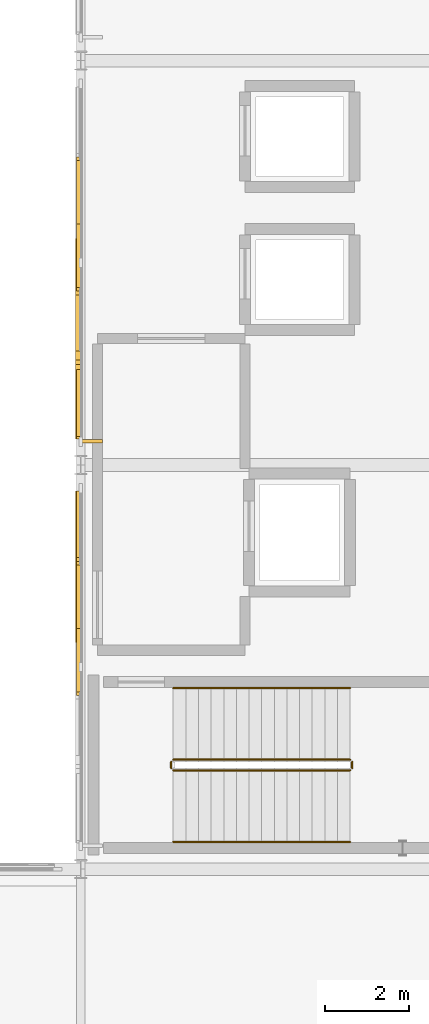
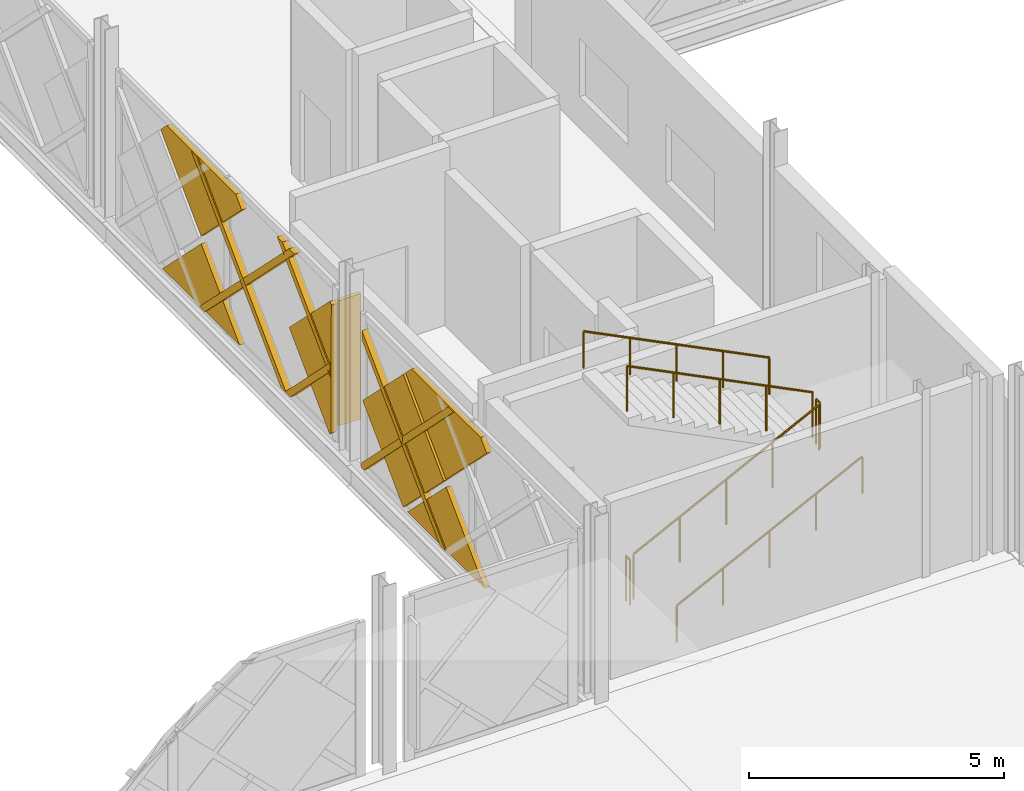
# One storey, part 85 of 101: 12 coverings, 6 railings, 1 shading device.
"""IFC4 building model written with IfcOpenShell, lengths in metres."""

from ifc_helpers import new_model, si_unit, direction, frame, origin, origin_2d, place, context, subcontext, project, spatial, polyline, rectangle, circle, outline, extrude, material, layer, layer_set, type_object, element, save


model = new_model("IFC4")

# Units and contexts
model_context = context("Model", 3, precision=1e-05, world=origin(), true_north=direction((0.0, 1.0)))
body_context = subcontext(model_context, "Body", "Model", "MODEL_VIEW")
ifc_project = project(units=[si_unit("LENGTHUNIT", "METRE"), si_unit("AREAUNIT", "SQUARE_METRE"), si_unit("VOLUMEUNIT", "CUBIC_METRE"), si_unit("PLANEANGLEUNIT", "RADIAN"), si_unit("MASSUNIT", "GRAM", prefix="KILO")], contexts=[model_context])

# Site, building, storey
site_placement = place(None, origin())
site = spatial("IfcSite", under=ifc_project, at=site_placement, CompositionType="ELEMENT")
building_placement = place(site_placement, origin())
building = spatial("IfcBuilding", under=site, at=building_placement, Name="Zevrakil Square Congress Hotel", CompositionType="ELEMENT")
storey_placement = place(building_placement, frame((0.0, 0.0, 5.39990234375)))
storey = spatial("IfcBuildingStorey", under=building, at=storey_placement, Name="L02", CompositionType="ELEMENT", Elevation=5.39990234375)

# Coverings
ifc_material_1 = material(Name="Architectural White Fibre-C GRC", Category="concrete")
ifc_layer_1 = layer(ifc_material_1, 0.06494140625)
ifc_layer_set_1 = layer_set([ifc_layer_1], Name="Architectural White Fibre-C GRC")
covering_type_1 = type_object("IfcCoveringType", Name="COV-DIA-WHITE", PredefinedType="CLADDING", material=ifc_layer_set_1)
covering_1_placement = place(storey_placement, frame((107.906005859375, 51.320068359375, 1.590087890625), z_axis=(-0.999999790873, 0.0, 0.000646725815), x_axis=(-0.000457304257, -0.707106707249, -0.707106707249)))
element("IfcCovering", 1, at=covering_1_placement, inside=storey, type_object=covering_type_1, Name="L02 45-degree white GRC diamond facade cassette 1748", PredefinedType="CLADDING", context=body_context, shape_type="SweptSolid", body=[
    extrude(outline(polyline([(0.0, 0.0), (2.1354765131557993, 0.0), (4.465861884739297e-07, -2.1354765131557527), (0.0, 0.0)])), origin(), (0.0, 0.0, -1.0), 0.1201171875),
])
covering_2_placement = place(storey_placement, frame((107.906982421875, 53.0, 3.27001953125), z_axis=(-0.999999812555, 0.0, 0.000612282088), x_axis=(-0.000432915616, -0.707161000838, -0.707052424844)))
element("IfcCovering", 2, at=covering_2_placement, inside=storey, type_object=covering_type_1, Name="L02 45-degree white GRC diamond facade cassette 1749", PredefinedType="CLADDING", context=body_context, shape_type="SweptSolid", body=[
    extrude(outline(polyline([(0.0, 0.0), (2.248551445484592, 0.0), (2.2483792228800303, -2.2487240657380205), (0.013811102109335449, -2.2485525032084603), (-0.000343756005215079, -2.2343954741070595), (0.0, 0.0)])), origin(), (0.0, 0.0, -1.0), 0.1201171875),
])
covering_3_placement = place(storey_placement, frame((107.906982421875, 49.72998046875, 3.360107421875), z_axis=(-0.999999751228, 0.0, 0.00070536756), x_axis=(-0.000498770231, 0.707106715979, -0.707106670486)))
element("IfcCovering", 3, at=covering_3_placement, inside=storey, type_object=covering_type_1, Name="L02 45-degree white GRC diamond facade cassette 1751", PredefinedType="CLADDING", context=body_context, shape_type="SweptSolid", body=[
    extrude(outline(polyline([(0.0, 0.0), (2.2487240676579097, 2.220446049250313e-16), (2.2485510194407325, -2.2485514341504507), (1.9162314678733625, -2.2487241174091555), (-1.1107420985756455e-07, -0.332492185042936), (0.0, 0.0)])), origin(), (0.0, 0.0, -1.0), 0.1201171875),
])
covering_4_placement = place(storey_placement, frame((107.906005859375, 60.919921875, 1.590087890625), z_axis=(-0.999999790873, 0.0, 0.000646725815), x_axis=(-0.000457304257, -0.707106707249, -0.707106707249)))
element("IfcCovering", 4, at=covering_4_placement, inside=storey, type_object=covering_type_1, Name="L02 45-degree white GRC diamond facade cassette 1816", PredefinedType="CLADDING", context=body_context, shape_type="SweptSolid", body=[
    extrude(outline(polyline([(0.0, 0.0), (2.1354765131557993, 0.0), (4.465861884739297e-07, -2.1354765131557527), (0.0, 0.0)])), origin(), (0.0, 0.0, -1.0), 0.1201171875),
])
covering_5_placement = place(storey_placement, frame((107.905029296875, 55.8798828125, 0.090087890625), z_axis=(-0.999999810879, 4.3911e-08, 0.000615014432), x_axis=(0.000434911966, 0.707106714509, 0.707106714116)))
element("IfcCovering", 5, at=covering_5_placement, inside=storey, type_object=covering_type_1, Name="L02 45-degree white GRC diamond facade cassette 1818", PredefinedType="CLADDING", context=body_context, shape_type="SweptSolid", body=[
    extrude(outline(polyline([(0.0, 0.0), (2.2487240723345274, -2.220446049250313e-16), (2.248551862954323, -2.2485514388919943), (2.1639614601190895, -2.2485514548663854), (0.00017263345166069338, -0.0847630362800969), (0.0, 0.0)])), origin(), (0.0, 0.0, -1.0), 0.1201171875),
])
covering_6_placement = place(storey_placement, frame((107.906982421875, 59.330078125, 3.360107421875), z_axis=(-0.999999751228, 0.0, 0.00070536756), x_axis=(-0.000498808522, 0.707052425462, -0.707160956812)))
element("IfcCovering", 6, at=covering_6_placement, inside=storey, type_object=covering_type_1, Name="L02 45-degree white GRC diamond facade cassette 1819", PredefinedType="CLADDING", context=body_context, shape_type="SweptSolid", body=[
    extrude(outline(polyline([(0.0, 0.0), (2.248551440809335, 2.220446049250313e-16), (2.248378379306818, -2.2487240609985144), (1.9158861952399802, -2.2486985835187765), (-0.0001982585262913228, -0.3323195372935549), (0.0, 0.0)])), origin(), (0.0, 0.0, -1.0), 0.1201171875),
])
ifc_material_2 = material(Name="Anodised Champagne Aluminium", Category="aluminium")
ifc_layer_2 = layer(ifc_material_2, 0.0849609375)
ifc_layer_set_2 = layer_set([ifc_layer_2], Name="Anodised Champagne Aluminium")
covering_type_2 = type_object("IfcCoveringType", Name="COV-DIAGRID-45", PredefinedType="MOLDING", material=ifc_layer_set_2)
covering_7_placement = place(storey_placement, frame((107.8798828125, 54.493896484375, 0.080078125), z_axis=(-0.99999941824, 0.000393406, 0.001004366124), x_axis=(0.000393405802, 0.999999922616, -3.95124e-07)))
element("IfcCovering", 7, at=covering_7_placement, inside=storey, type_object=covering_type_2, Name="L02 45-degree aluminium diagrid rib 1752", PredefinedType="MOLDING", context=body_context, shape_type="SweptSolid", body=[
    extrude(outline(polyline([(0.0, 0.0), (0.08618163395590756, -4.562418066112793e-24), (0.08618168012945589, -0.1262208846689164), (-3.302734643917476, -3.5151371526592214), (-3.5148928306247953, -3.5151371526592214), (0.0, 0.0)])), origin(), (0.0, 0.0, -1.0), 0.14501953125),
])
covering_8_placement = place(storey_placement, frame((107.8818359375, 54.580078125, 3.154052734375), z_axis=(-0.999999562484, -0.000249090824, 0.000901656659), x_axis=(0.000901656702, -6.2046e-08, 0.999999593508)))
element("IfcCovering", 8, at=covering_8_placement, inside=storey, type_object=covering_type_2, Name="L02 45-degree aluminium diagrid rib 1755", PredefinedType="MOLDING", context=body_context, shape_type="SweptSolid", body=[
    extrude(outline(polyline([(0.0, 0.0), (0.21215833701531478, 1.3234889800848443e-23), (-3.073974916983605, -3.2861331051745672), (-3.073974930147215, -3.073974908631377), (0.0, 0.0)])), origin(), (0.0, 0.0, -1.0), 0.14501953125),
])
covering_9_placement = place(storey_placement, frame((107.8798828125, 60.73388671875, 0.080078125), z_axis=(-0.999999804633, 0.0, 0.000625086695), x_axis=(0.0, 1.0, 0.0)))
element("IfcCovering", 9, at=covering_9_placement, inside=storey, type_object=covering_type_2, Name="L02 45-degree aluminium diagrid rib 1821", PredefinedType="MOLDING", context=body_context, shape_type="SweptSolid", body=[
    extrude(outline(polyline([(0.0, 0.0), (0.212158203125, 0.0), (-3.302734375, -3.5151374054908215), (-3.514892578125, -3.5151374054908215), (0.0, 0.0)])), origin(), (0.0, 0.0, -1.0), 0.14501953125),
])
covering_10_placement = place(storey_placement, frame((107.8798828125, 57.373779296875, 0.080078125), z_axis=(-0.999999864806, -0.000367476119, 0.000367898991), x_axis=(-0.000367476094, 0.999999932481, 1.35194e-07)))
element("IfcCovering", 10, at=covering_10_placement, inside=storey, type_object=covering_type_2, Name="L02 45-degree aluminium diagrid rib 1822", PredefinedType="MOLDING", context=body_context, shape_type="SweptSolid", body=[
    extrude(outline(polyline([(0.0, 0.0), (0.21240232940873155, 0.0), (-1.5537110424055618, -1.7661136108240356), (-1.5537110710880997, -1.553955422056809), (0.0, 0.0)])), origin(), (0.0, 0.0, -1.0), 0.14501953125),
])
covering_11_placement = place(storey_placement, frame((107.882080078125, 61.260986328125, 3.59521484375), z_axis=(-0.999999804633, 0.0, 0.000625086695), x_axis=(0.0, -1.0, 0.0)))
element("IfcCovering", 11, at=covering_11_placement, inside=storey, type_object=covering_type_2, Name="L02 45-degree aluminium diagrid rib 1824", PredefinedType="MOLDING", context=body_context, shape_type="SweptSolid", body=[
    extrude(outline(polyline([(0.0, 0.0), (0.212158203125, 0.0), (3.72705078125, -3.5151374054908215), (3.514892578125, -3.5151374054908215), (0.0, 0.0)])), origin(), (0.0, 0.0, -1.0), 0.14501953125),
])
covering_12_placement = place(storey_placement, frame((107.882080078125, 57.901123046875, 3.59521484375), z_axis=(-0.999999592163, -0.000296771115, 0.00085299482), x_axis=(0.000296771007, -0.999999955963, -2.53144e-07)))
element("IfcCovering", 12, at=covering_12_placement, inside=storey, type_object=covering_type_2, Name="L02 45-degree aluminium diagrid rib 1825", PredefinedType="MOLDING", context=body_context, shape_type="SweptSolid", body=[
    extrude(outline(polyline([(0.0, 0.0), (0.2121581937822851, 0.0), (2.081054779142469, -1.8688966374729137), (2.081054760457039, -2.081299112201601), (0.0, 0.0)])), origin(), (0.0, 0.0, -1.0), 0.14501953125),
])

# Railings
ifc_material_3 = material(Name="Steel S355", Category="steel")
railing_type_1 = type_object("IfcRailingType", Name="RLG-STAIR-GUARD-1100", PredefinedType="BALUSTRADE", material=ifc_material_3)
railing_1_placement = place(storey_placement, frame((110.199951171875, 47.949951171875, 0.150146484375)))
element("IfcRailing", 13, at=railing_1_placement, inside=storey, type_object=railing_type_1, Name="L02 ST07 stair guard 1", PredefinedType="BALUSTRADE", context=body_context, shape_type="SweptSolid", body=[
    extrude(circle(Radius=0.02392578125, at=origin_2d()), frame((0.0, 0.0, 1.076171875), z_axis=(0.894437589381, 0.0, 0.447192798132), x_axis=(0.0, 1.0, 0.0)), (0.0, 0.0, 1.0), 4.695556640625),
    extrude(circle(Radius=0.02099609375, at=origin_2d()), origin(), (0.0, 0.0, 1.0), 1.052001953125),
    extrude(circle(Radius=0.02099609375, at=origin_2d()), frame((1.050048828125, 0.0, 0.52490234375)), (0.0, 0.0, 1.0), 1.052001953125),
    extrude(circle(Radius=0.02099609375, at=origin_2d()), frame((2.10009765625, 0.0, 1.0498046875)), (0.0, 0.0, 1.0), 1.052001953125),
    extrude(circle(Radius=0.02099609375, at=origin_2d()), frame((3.14990234375, 0.0, 1.574951171875)), (0.0, 0.0, 1.0), 1.052001953125),
    extrude(circle(Radius=0.02099609375, at=origin_2d()), frame((4.199951171875, 0.0, 2.099853515625)), (0.0, 0.0, 1.0), 1.052001953125),
])
railing_2_placement = place(storey_placement, frame((114.449951171875, 48.0, 2.25)))
element("IfcRailing", 14, at=railing_2_placement, inside=storey, type_object=railing_type_1, Name="L02 ST07 stair guard 2", PredefinedType="BALUSTRADE", context=body_context, shape_type="SweptSolid", body=[
    extrude(circle(Radius=0.02392578125, at=origin_2d()), frame((0.0, 0.0, 1.076171875), z_axis=(0.0, 1.0, 0.0), x_axis=(-1.0, 0.0, 0.0)), (0.0, 0.0, 1.0), 0.14990234375),
    extrude(circle(Radius=0.02099609375, at=origin_2d()), origin(), (0.0, 0.0, 1.0), 1.052001953125),
    extrude(circle(Radius=0.02099609375, at=origin_2d()), frame((0.0, 0.14990234375, 0.0)), (0.0, 0.0, 1.0), 1.052001953125),
])
railing_3_placement = place(storey_placement, frame((114.39990234375, 48.199951171875, 2.400146484375)))
element("IfcRailing", 15, at=railing_3_placement, inside=storey, type_object=railing_type_1, Name="L02 ST07 stair guard 3", PredefinedType="BALUSTRADE", context=body_context, shape_type="SweptSolid", body=[
    extrude(circle(Radius=0.02392578125, at=origin_2d()), frame((0.0, 0.0, 1.076171875), z_axis=(-0.894437589381, 0.0, 0.447192798132), x_axis=(0.0, -1.0, 0.0)), (0.0, 0.0, 1.0), 4.695556640625),
    extrude(circle(Radius=0.02099609375, at=origin_2d()), origin(), (0.0, 0.0, 1.0), 1.052001953125),
    extrude(circle(Radius=0.02099609375, at=origin_2d()), frame((-1.050048828125, 0.0, 0.52490234375)), (0.0, 0.0, 1.0), 1.052001953125),
    extrude(circle(Radius=0.02099609375, at=origin_2d()), frame((-2.10009765625, 0.0, 1.0498046875)), (0.0, 0.0, 1.0), 1.052001953125),
    extrude(circle(Radius=0.02099609375, at=origin_2d()), frame((-3.14990234375, 0.0, 1.574951171875)), (0.0, 0.0, 1.0), 1.052001953125),
    extrude(circle(Radius=0.02099609375, at=origin_2d()), frame((-4.199951171875, 0.0, 2.099853515625)), (0.0, 0.0, 1.0), 1.052001953125),
])
railing_4_placement = place(storey_placement, frame((110.14990234375, 48.0, 0.0)))
element("IfcRailing", 16, at=railing_4_placement, inside=storey, type_object=railing_type_1, Name="L02 ST07 stair guard 4", PredefinedType="BALUSTRADE", context=body_context, shape_type="SweptSolid", body=[
    extrude(circle(Radius=0.02392578125, at=origin_2d()), frame((0.0, 0.0, 1.076171875), z_axis=(0.0, 1.0, 0.0), x_axis=(-1.0, 0.0, 0.0)), (0.0, 0.0, 1.0), 0.14990234375),
    extrude(circle(Radius=0.02099609375, at=origin_2d()), origin(), (0.0, 0.0, 1.0), 1.052001953125),
    extrude(circle(Radius=0.02099609375, at=origin_2d()), frame((0.0, 0.14990234375, 0.0)), (0.0, 0.0, 1.0), 1.052001953125),
])
ifc_material_4 = material(Name="Steel S355", Category="steel")
railing_type_2 = type_object("IfcRailingType", Name="RLG-STAIR-HAND-900", PredefinedType="HANDRAIL", material=ifc_material_4)
railing_5_placement = place(storey_placement, frame((110.199951171875, 46.25, 0.150146484375)))
element("IfcRailing", 17, at=railing_5_placement, inside=storey, type_object=railing_type_2, Name="L02 ST07 stair handrail 1", PredefinedType="HANDRAIL", context=body_context, shape_type="SweptSolid", body=[
    extrude(circle(Radius=0.02392578125, at=origin_2d()), frame((0.0, 0.0, 0.8759765625), z_axis=(0.894437589381, 0.0, 0.447192798132), x_axis=(0.0, 1.0, 0.0)), (0.0, 0.0, 1.0), 4.695556640625),
    extrude(circle(Radius=0.02099609375, at=origin_2d()), origin(), (0.0, 0.0, 1.0), 0.851806640625),
    extrude(circle(Radius=0.02099609375, at=origin_2d()), frame((1.050048828125, 0.0, 0.52490234375)), (0.0, 0.0, 1.0), 0.851806640625),
    extrude(circle(Radius=0.02099609375, at=origin_2d()), frame((2.10009765625, 0.0, 1.0498046875)), (0.0, 0.0, 1.0), 0.851806640625),
    extrude(circle(Radius=0.02099609375, at=origin_2d()), frame((3.14990234375, 0.0, 1.574951171875)), (0.0, 0.0, 1.0), 0.851806640625),
    extrude(circle(Radius=0.02099609375, at=origin_2d()), frame((4.199951171875, 0.0, 2.099853515625)), (0.0, 0.0, 1.0), 0.851806640625),
])
railing_6_placement = place(storey_placement, frame((114.39990234375, 49.89990234375, 2.400146484375)))
element("IfcRailing", 18, at=railing_6_placement, inside=storey, type_object=railing_type_2, Name="L02 ST07 stair handrail 2", PredefinedType="HANDRAIL", context=body_context, shape_type="SweptSolid", body=[
    extrude(circle(Radius=0.02392578125, at=origin_2d()), frame((0.0, 0.0, 0.8759765625), z_axis=(-0.894437589381, 0.0, 0.447192798132), x_axis=(0.0, -1.0, 0.0)), (0.0, 0.0, 1.0), 4.695556640625),
    extrude(circle(Radius=0.02099609375, at=origin_2d()), origin(), (0.0, 0.0, 1.0), 0.851806640625),
    extrude(circle(Radius=0.02099609375, at=origin_2d()), frame((-1.050048828125, 0.0, 0.52490234375)), (0.0, 0.0, 1.0), 0.851806640625),
    extrude(circle(Radius=0.02099609375, at=origin_2d()), frame((-2.10009765625, 0.0, 1.0498046875)), (0.0, 0.0, 1.0), 0.851806640625),
    extrude(circle(Radius=0.02099609375, at=origin_2d()), frame((-3.14990234375, 0.0, 1.574951171875)), (0.0, 0.0, 1.0), 0.851806640625),
    extrude(circle(Radius=0.02099609375, at=origin_2d()), frame((-4.199951171875, 0.0, 2.099853515625)), (0.0, 0.0, 1.0), 0.851806640625),
])

# Shading device
ifc_material_5 = material(Name="Aluminium Anodised Bronze", Category="aluminium")
shading_device_type = type_object("IfcShadingDeviceType", Name="SHD-FIN-50", PredefinedType="JALOUSIE", material=ifc_material_5)
shading_device_placement = place(storey_placement, frame((108.27001953125, 55.760009765625, 0.337646484375), z_axis=(0.0, 0.0, 1.0), x_axis=(1.0, 0.0, 0.0)))
element("IfcShadingDevice", 19, at=shading_device_placement, inside=storey, type_object=shading_device_type, Name="L02 aluminium solar shading fin 98", PredefinedType="JALOUSIE", context=body_context, shape_type="SweptSolid", body=[
    extrude(rectangle(XDim=0.5, YDim=0.080078125, at=origin_2d()), origin(), (0.0, 0.0, 1.0), 3.0),
])

save(model, "model.ifc")
